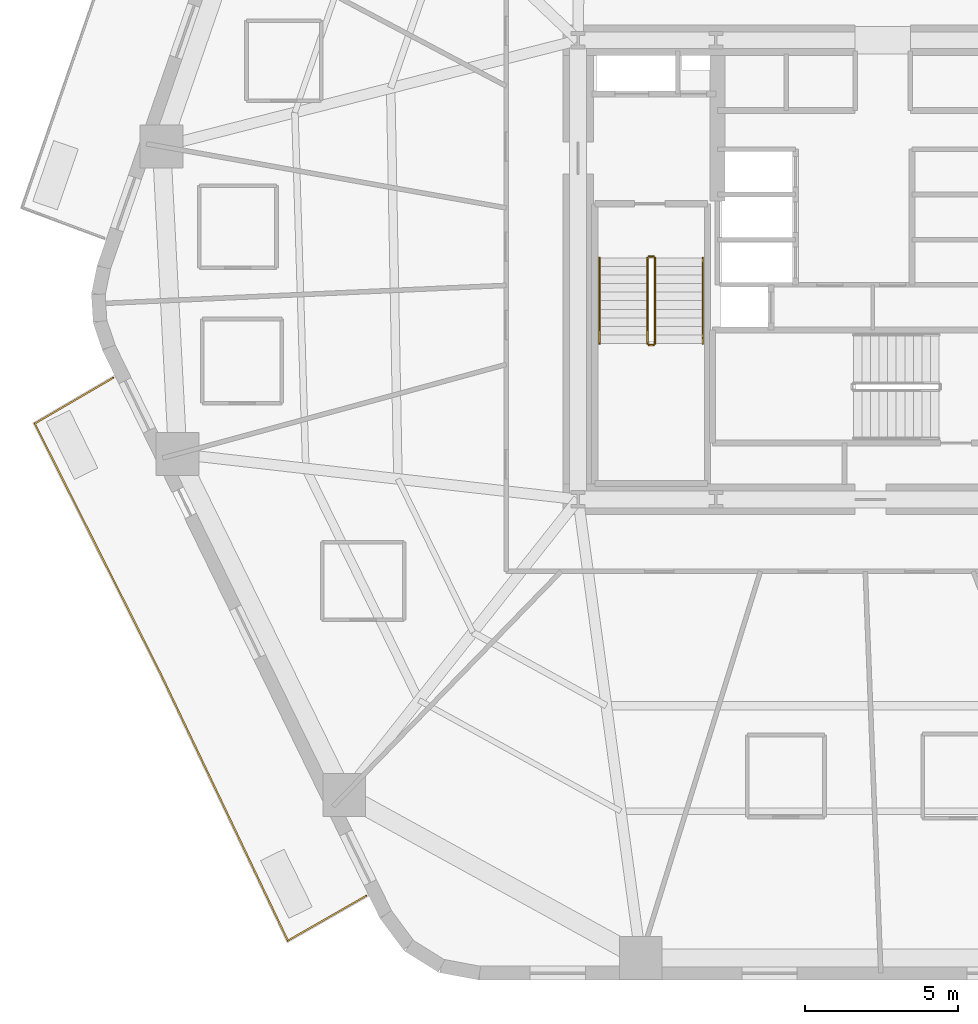
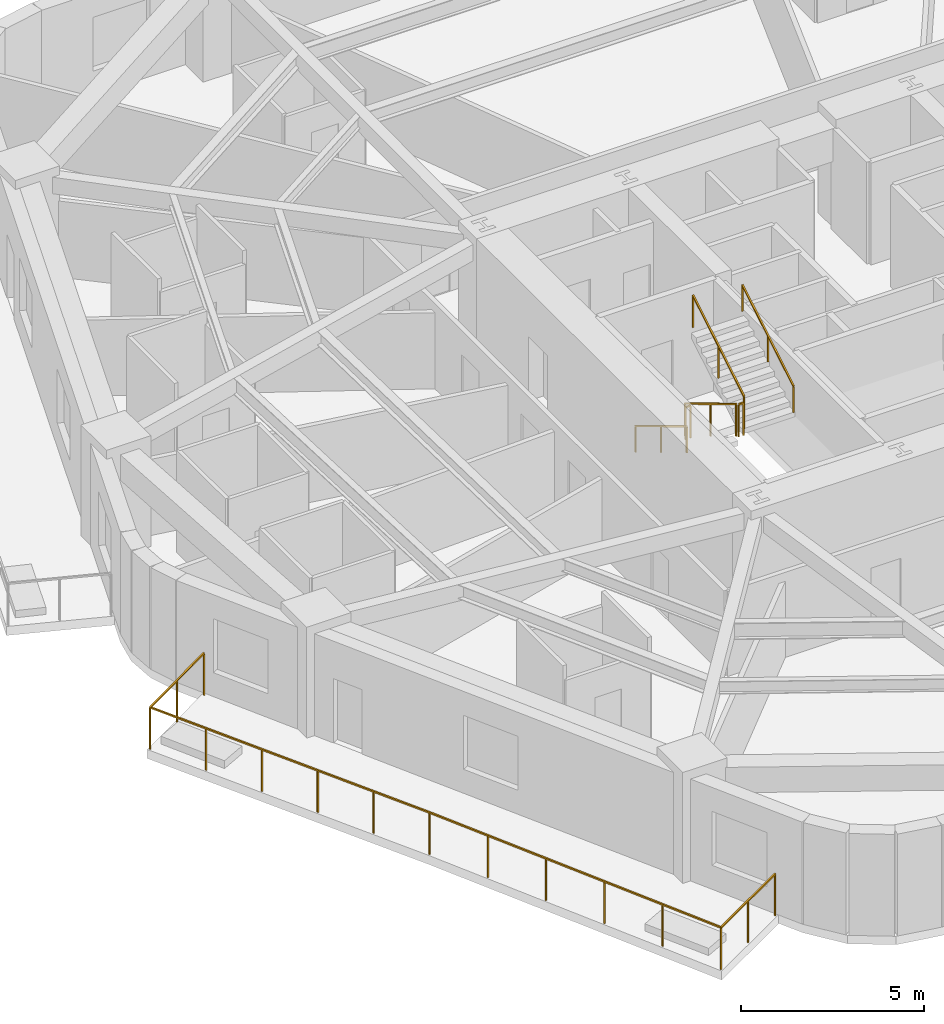
# One storey, part 8 of 10: 7 railings.
"""IFC4 building model written with IfcOpenShell, lengths in metres."""

from ifc_helpers import new_model, si_unit, direction, frame, origin, origin_2d, place, context, subcontext, project, spatial, rectangle, extrude, material, layer, layer_set, type_object, element, save


model = new_model("IFC4")

# Units and contexts
model_context = context("Model", 3, precision=1e-05, world=origin(), true_north=direction((0.0, 1.0)))
body_context = subcontext(model_context, "Body", "Model", "MODEL_VIEW")
ifc_project = project(units=[si_unit("LENGTHUNIT", "METRE"), si_unit("AREAUNIT", "SQUARE_METRE"), si_unit("VOLUMEUNIT", "CUBIC_METRE"), si_unit("PLANEANGLEUNIT", "RADIAN"), si_unit("MASSUNIT", "GRAM", prefix="KILO")], contexts=[model_context])

# Site, building, storey
site_placement = place(None, origin())
site = spatial("IfcSite", under=ifc_project, at=site_placement, CompositionType="ELEMENT")
building_placement = place(site_placement, origin())
building = spatial("IfcBuilding", under=site, at=building_placement, Name="Kilnhurst Terrace Hotel", CompositionType="ELEMENT")
storey_placement = place(building_placement, frame((0.0, 0.0, 49.0)))
storey = spatial("IfcBuildingStorey", under=building, at=storey_placement, Name="L10", CompositionType="ELEMENT", Elevation=49.0)

# Railings
ifc_material_1 = material(Name="Laminated SentryGlas and Stainless Steel AISI 316L Balustrade", Category="steel")
ifc_layer_1 = layer(ifc_material_1, 0.070068359375, Name="Laminated SentryGlas and Stainless Steel AISI 316L Balustrade")
ifc_layer_set_1 = layer_set([ifc_layer_1], Name="Laminated SentryGlas and Stainless Steel AISI 316L Balustrade")
railing_type_1 = type_object("IfcRailingType", Name="RLG-BAL-1420", PredefinedType="BALUSTRADE", material=ifc_layer_set_1)
railing_1_placement = place(storey_placement, frame((-15.923095703125, -20.44873046875, 0.0)))
element("IfcRailing", 1, at=railing_1_placement, inside=storey, type_object=railing_type_1, Name="L10 Exterior Terrace Guardrail BAL-L2B.1", PredefinedType="BALUSTRADE", context=body_context, shape_type="SweptSolid", body=[
    extrude(rectangle(XDim=0.048095703125, YDim=0.048095703125, at=origin_2d()), frame((0.0, 0.0, 1.39599609375), z_axis=(-0.86763656582, -0.497198943736, 0.0), x_axis=(0.497198943736, -0.86763656582, 0.0)), (0.0, 0.0, 1.0), 2.95068359375),
    extrude(rectangle(XDim=0.048095703125, YDim=0.048095703125, at=origin_2d()), frame((-2.56005859375, -1.467041015625, 1.39599609375), z_axis=(-0.430147205624, 0.902758761516, 0.0), x_axis=(-0.902758761516, -0.430147205624, 0.0)), (0.0, 0.0, 1.0), 9.67041015625),
    extrude(rectangle(XDim=0.048095703125, YDim=0.048095703125, at=origin_2d()), frame((-6.7197265625, 7.262939453125, 1.39599609375), z_axis=(-0.514495755428, 0.857492925713, 0.0), x_axis=(-0.857492925713, -0.514495755428, 0.0)), (0.0, 0.0, 1.0), 0.00146484375),
    extrude(rectangle(XDim=0.048095703125, YDim=0.048095703125, at=origin_2d()), frame((-6.720458984375, 7.26416015625, 1.39599609375), z_axis=(-0.449648824937, 0.89320542667, 0.0), x_axis=(-0.89320542667, -0.449648824937, 0.0)), (0.0, 0.0, 1.0), 9.136962890625),
    extrude(rectangle(XDim=0.048095703125, YDim=0.048095703125, at=origin_2d()), frame((-10.828857421875, 15.42529296875, 1.39599609375), z_axis=(0.863737120301, 0.503942642584, 0.0), x_axis=(-0.503942642584, 0.863737120301, 0.0)), (0.0, 0.0, 1.0), 2.96728515625),
    extrude(rectangle(XDim=0.0419921875, YDim=0.0419921875, at=origin_2d()), origin(), (0.0, 0.0, 1.0), 1.371826171875),
    extrude(rectangle(XDim=0.0419921875, YDim=0.0419921875, at=origin_2d()), frame((-1.280029296875, -0.7333984375, 0.0)), (0.0, 0.0, 1.0), 1.371826171875),
    extrude(rectangle(XDim=0.0419921875, YDim=0.0419921875, at=origin_2d()), frame((-2.56005859375, -1.467041015625, 0.0)), (0.0, 0.0, 1.0), 1.371826171875),
    extrude(rectangle(XDim=0.0419921875, YDim=0.0419921875, at=origin_2d()), frame((-3.39208984375, 0.279052734375, 0.0)), (0.0, 0.0, 1.0), 1.371826171875),
    extrude(rectangle(XDim=0.0419921875, YDim=0.0419921875, at=origin_2d()), frame((-4.223876953125, 2.02490234375, 0.0)), (0.0, 0.0, 1.0), 1.371826171875),
    extrude(rectangle(XDim=0.0419921875, YDim=0.0419921875, at=origin_2d()), frame((-5.055908203125, 3.77099609375, 0.0)), (0.0, 0.0, 1.0), 1.371826171875),
    extrude(rectangle(XDim=0.0419921875, YDim=0.0419921875, at=origin_2d()), frame((-5.8876953125, 5.516845703125, 0.0)), (0.0, 0.0, 1.0), 1.371826171875),
    extrude(rectangle(XDim=0.0419921875, YDim=0.0419921875, at=origin_2d()), frame((-6.7197265625, 7.262939453125, 0.0)), (0.0, 0.0, 1.0), 1.371826171875),
    extrude(rectangle(XDim=0.0419921875, YDim=0.0419921875, at=origin_2d()), frame((-6.720458984375, 7.26416015625, 0.0)), (0.0, 0.0, 1.0), 1.371826171875),
    extrude(rectangle(XDim=0.0419921875, YDim=0.0419921875, at=origin_2d()), frame((-7.542236328125, 8.896484375, 0.0)), (0.0, 0.0, 1.0), 1.371826171875),
    extrude(rectangle(XDim=0.0419921875, YDim=0.0419921875, at=origin_2d()), frame((-8.36376953125, 10.528564453125, 0.0)), (0.0, 0.0, 1.0), 1.371826171875),
    extrude(rectangle(XDim=0.0419921875, YDim=0.0419921875, at=origin_2d()), frame((-9.185546875, 12.160888671875, 0.0)), (0.0, 0.0, 1.0), 1.371826171875),
    extrude(rectangle(XDim=0.0419921875, YDim=0.0419921875, at=origin_2d()), frame((-10.007080078125, 13.79296875, 0.0)), (0.0, 0.0, 1.0), 1.371826171875),
    extrude(rectangle(XDim=0.0419921875, YDim=0.0419921875, at=origin_2d()), frame((-10.828857421875, 15.42529296875, 0.0)), (0.0, 0.0, 1.0), 1.371826171875),
    extrude(rectangle(XDim=0.0419921875, YDim=0.0419921875, at=origin_2d()), frame((-9.54736328125, 16.1728515625, 0.0)), (0.0, 0.0, 1.0), 1.371826171875),
    extrude(rectangle(XDim=0.0419921875, YDim=0.0419921875, at=origin_2d()), frame((-8.265869140625, 16.920654296875, 0.0)), (0.0, 0.0, 1.0), 1.371826171875),
])
ifc_material_2 = material(Name="Powder-Coated Steel ASTM A500 Grade B", Category="steel")
ifc_layer_2 = layer(ifc_material_2, 0.050048828125, Name="Powder-Coated Steel ASTM A500 Grade B")
ifc_layer_set_2 = layer_set([ifc_layer_2], Name="Powder-Coated Steel ASTM A500 Grade B")
railing_type_2 = type_object("IfcRailingType", Name="RLG-ST-GRD-1100", PredefinedType="GUARDRAIL", material=ifc_layer_set_2)
railing_2_placement = place(storey_placement, frame((-6.739990234375, 0.389892578125, 0.168212890625)))
element("IfcRailing", 2, at=railing_2_placement, inside=storey, type_object=railing_type_2, Name="L10 ST-1 stair guard 1", PredefinedType="GUARDRAIL", context=body_context, shape_type="SweptSolid", body=[
    extrude(rectangle(XDim=0.048095703125, YDim=0.048095703125, at=origin_2d()), frame((0.0, 0.0, 1.076171875), z_axis=(0.0, -0.857222391501, 0.514946377315), x_axis=(1.0, 0.0, 0.0)), (0.0, 0.0, 1.0), 3.26611328125),
    extrude(rectangle(XDim=0.0419921875, YDim=0.0419921875, at=origin_2d()), origin(), (0.0, 0.0, 1.0), 1.052001953125),
    extrude(rectangle(XDim=0.0419921875, YDim=0.0419921875, at=origin_2d()), frame((0.0, -1.39990234375, 0.8408203125)), (0.0, 0.0, 1.0), 1.052001953125),
    extrude(rectangle(XDim=0.0419921875, YDim=0.0419921875, at=origin_2d()), frame((0.0, -2.7998046875, 1.681884765625)), (0.0, 0.0, 1.0), 1.052001953125),
])
railing_3_placement = place(storey_placement, frame((-6.68994140625, -2.4599609375, 1.85009765625)))
element("IfcRailing", 3, at=railing_3_placement, inside=storey, type_object=railing_type_2, Name="L10 ST-1 stair guard 2", PredefinedType="GUARDRAIL", context=body_context, shape_type="SweptSolid", body=[
    extrude(rectangle(XDim=0.048095703125, YDim=0.048095703125, at=origin_2d()), frame((0.0, 0.0, 1.076171875), z_axis=(1.0, 0.0, 0.0), x_axis=(0.0, 1.0, 0.0)), (0.0, 0.0, 1.0), 0.14990234375),
    extrude(rectangle(XDim=0.0419921875, YDim=0.0419921875, at=origin_2d()), origin(), (0.0, 0.0, 1.0), 1.052001953125),
    extrude(rectangle(XDim=0.0419921875, YDim=0.0419921875, at=origin_2d()), frame((0.14990234375, 0.0, 0.0)), (0.0, 0.0, 1.0), 1.052001953125),
])
railing_4_placement = place(storey_placement, frame((-6.489990234375, -2.409912109375, 2.01806640625)))
element("IfcRailing", 4, at=railing_4_placement, inside=storey, type_object=railing_type_2, Name="L10 ST-1 stair guard 3", PredefinedType="GUARDRAIL", context=body_context, shape_type="SweptSolid", body=[
    extrude(rectangle(XDim=0.048095703125, YDim=0.048095703125, at=origin_2d()), frame((0.0, 0.0, 1.076171875), z_axis=(0.0, 0.857222391501, 0.514946377315), x_axis=(-1.0, 0.0, 0.0)), (0.0, 0.0, 1.0), 3.26611328125),
    extrude(rectangle(XDim=0.0419921875, YDim=0.0419921875, at=origin_2d()), origin(), (0.0, 0.0, 1.0), 1.052001953125),
    extrude(rectangle(XDim=0.0419921875, YDim=0.0419921875, at=origin_2d()), frame((0.0, 1.39990234375, 0.8408203125)), (0.0, 0.0, 1.0), 1.052001953125),
    extrude(rectangle(XDim=0.0419921875, YDim=0.0419921875, at=origin_2d()), frame((0.0, 2.7998046875, 1.681884765625)), (0.0, 0.0, 1.0), 1.052001953125),
])
railing_5_placement = place(storey_placement, frame((-6.68994140625, 0.43994140625, 0.0)))
element("IfcRailing", 5, at=railing_5_placement, inside=storey, type_object=railing_type_2, Name="L10 ST-1 stair guard 4", PredefinedType="GUARDRAIL", context=body_context, shape_type="SweptSolid", body=[
    extrude(rectangle(XDim=0.048095703125, YDim=0.048095703125, at=origin_2d()), frame((0.0, 0.0, 1.076171875), z_axis=(1.0, 0.0, 0.0), x_axis=(0.0, 1.0, 0.0)), (0.0, 0.0, 1.0), 0.14990234375),
    extrude(rectangle(XDim=0.0419921875, YDim=0.0419921875, at=origin_2d()), origin(), (0.0, 0.0, 1.0), 1.052001953125),
    extrude(rectangle(XDim=0.0419921875, YDim=0.0419921875, at=origin_2d()), frame((0.14990234375, 0.0, 0.0)), (0.0, 0.0, 1.0), 1.052001953125),
])
ifc_material_3 = material(Name="Brushed Stainless Steel AISI 304", Category="steel")
ifc_layer_3 = layer(ifc_material_3, 0.048095703125, Name="Brushed Stainless Steel AISI 304")
ifc_layer_set_3 = layer_set([ifc_layer_3], Name="Brushed Stainless Steel AISI 304")
railing_type_3 = type_object("IfcRailingType", Name="RLG-ST-HRL-900", PredefinedType="HANDRAIL", material=ifc_layer_set_3)
railing_6_placement = place(storey_placement, frame((-8.300048828125, 0.389892578125, 0.168212890625)))
element("IfcRailing", 6, at=railing_6_placement, inside=storey, type_object=railing_type_3, Name="L10 ST-1 stair handrail 1", PredefinedType="HANDRAIL", context=body_context, shape_type="SweptSolid", body=[
    extrude(rectangle(XDim=0.048095703125, YDim=0.048095703125, at=origin_2d()), frame((0.0, 0.0, 0.8759765625), z_axis=(0.0, -0.857222391501, 0.514946377315), x_axis=(1.0, 0.0, 0.0)), (0.0, 0.0, 1.0), 3.26611328125),
    extrude(rectangle(XDim=0.0419921875, YDim=0.0419921875, at=origin_2d()), origin(), (0.0, 0.0, 1.0), 0.851806640625),
    extrude(rectangle(XDim=0.0419921875, YDim=0.0419921875, at=origin_2d()), frame((0.0, -1.39990234375, 0.8408203125)), (0.0, 0.0, 1.0), 0.851806640625),
    extrude(rectangle(XDim=0.0419921875, YDim=0.0419921875, at=origin_2d()), frame((0.0, -2.7998046875, 1.681884765625)), (0.0, 0.0, 1.0), 0.851806640625),
])
railing_7_placement = place(storey_placement, frame((-4.929931640625, -2.409912109375, 2.01806640625)))
element("IfcRailing", 7, at=railing_7_placement, inside=storey, type_object=railing_type_3, Name="L10 ST-1 stair handrail 2", PredefinedType="HANDRAIL", context=body_context, shape_type="SweptSolid", body=[
    extrude(rectangle(XDim=0.048095703125, YDim=0.048095703125, at=origin_2d()), frame((0.0, 0.0, 0.8759765625), z_axis=(0.0, 0.857222391501, 0.514946377315), x_axis=(-1.0, 0.0, 0.0)), (0.0, 0.0, 1.0), 3.26611328125),
    extrude(rectangle(XDim=0.0419921875, YDim=0.0419921875, at=origin_2d()), origin(), (0.0, 0.0, 1.0), 0.851806640625),
    extrude(rectangle(XDim=0.0419921875, YDim=0.0419921875, at=origin_2d()), frame((0.0, 1.39990234375, 0.8408203125)), (0.0, 0.0, 1.0), 0.851806640625),
    extrude(rectangle(XDim=0.0419921875, YDim=0.0419921875, at=origin_2d()), frame((0.0, 2.7998046875, 1.681884765625)), (0.0, 0.0, 1.0), 0.851806640625),
])

save(model, "model.ifc")
